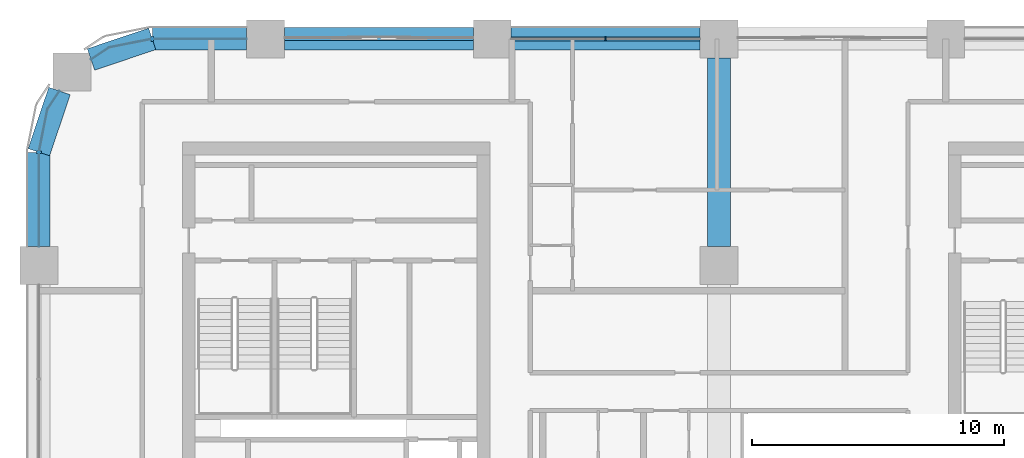
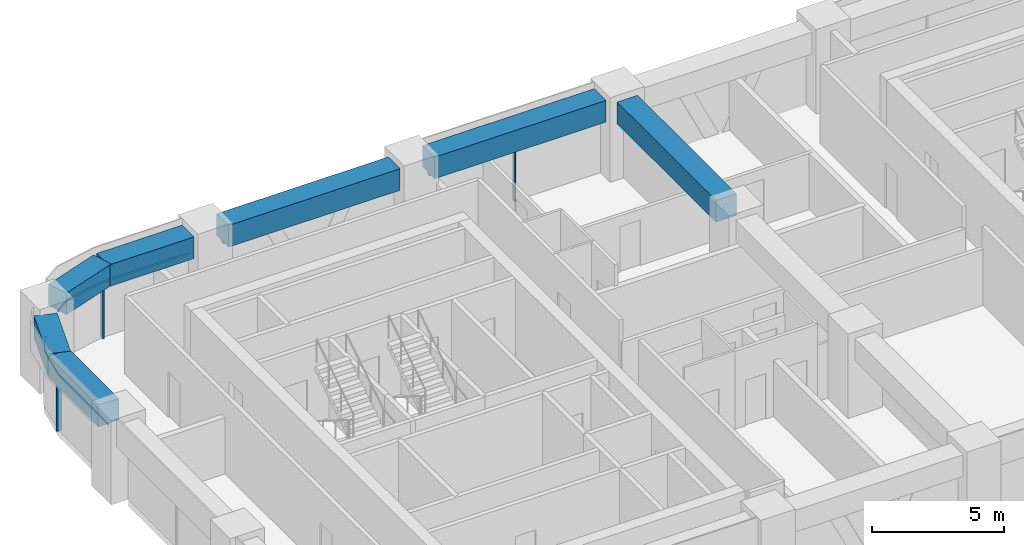
# One storey, part 4 of 14: 7 beams, 7 members, 4 elements without a shape of their own.
"""IFC4 building model written with IfcOpenShell, lengths in metres."""

from ifc_helpers import new_model, si_unit, direction, frame, origin, origin_2d, place, context, subcontext, project, spatial, polyline, rectangle, outline, extrude, material, material_profile, profile_set, type_object, element, aggregate, save


model = new_model("IFC4")

# Units and contexts
model_context = context("Model", 3, precision=1e-05, world=origin(), true_north=direction((0.0, 1.0)))
body_context = subcontext(model_context, "Body", "Model", "MODEL_VIEW")
ifc_project = project(units=[si_unit("LENGTHUNIT", "METRE"), si_unit("AREAUNIT", "SQUARE_METRE"), si_unit("VOLUMEUNIT", "CUBIC_METRE"), si_unit("PLANEANGLEUNIT", "RADIAN"), si_unit("MASSUNIT", "GRAM", prefix="KILO")], contexts=[model_context])

# Site, building, storey
site_placement = place(None, origin())
site = spatial("IfcSite", under=ifc_project, at=site_placement, CompositionType="ELEMENT")
building_placement = place(site_placement, origin())
building = spatial("IfcBuilding", under=site, at=building_placement, Name="Tessera Arch", CompositionType="ELEMENT")
storey_placement = place(building_placement, frame((0.0, 0.0, 173.89990234375)))
storey = spatial("IfcBuildingStorey", under=building, at=storey_placement, Name="L41", CompositionType="ELEMENT", Elevation=173.89990234375)

# Curtain wall, members
ifc_material_1 = material(Name="CW1 curtain wall")
curtain_wall_type_1 = type_object("IfcCurtainWallType", Name="CW1 curtain wall", PredefinedType="NOTDEFINED", material=ifc_material_1)
curtain_wall_1_placement = place(storey_placement, origin())
curtain_wall_1 = element("IfcCurtainWall", 1, at=curtain_wall_1_placement, inside=storey, type_object=curtain_wall_type_1, Name="CW1 curtain wall N54.0/3 L41", PredefinedType="NOTDEFINED")
ifc_material_2 = material(Name="Anodised aluminium pale metal", Category="aluminium")
ifc_material_profile_1 = material_profile(ifc_material_2, rectangle(XDim=0.159912109375, YDim=0.06005859375, at=origin_2d()), Name="AL 60x160")
ifc_profile_set_1 = profile_set([ifc_material_profile_1], Name="Anodised aluminium pale metal")
member_type_1 = type_object("IfcMemberType", Name="CW1 mullion", PredefinedType="MULLION", material=ifc_profile_set_1)
member_1_placement = place(storey_placement, frame((22.5, 54.0, 0.0), z_axis=(0.0, 0.0, 1.0), x_axis=(0.0, -1.0, 0.0)))
member_1 = element("IfcMember", 2, at=member_1_placement, type_object=member_type_1, Name="CW1 mullion N54.0/3 1", PredefinedType="MULLION", context=body_context, shape_type="SweptSolid", body=[
    extrude(rectangle(XDim=0.159912109375, YDim=0.06005859375, at=origin_2d()), origin(), (0.0, 0.0, 1.0), 2.5),
])
ifc_material_3 = material(Name="Anodised aluminium pale metal", Category="aluminium")
ifc_material_profile_2 = material_profile(ifc_material_3, rectangle(XDim=0.159912109375, YDim=0.10009765625, at=origin_2d()), Name="AL 160x100")
ifc_profile_set_2 = profile_set([ifc_material_profile_2], Name="Anodised aluminium pale metal")
member_type_2 = type_object("IfcMemberType", Name="CW1 transom", PredefinedType="USERDEFINED", material=ifc_profile_set_2)
member_2_placement = place(storey_placement, frame((26.25, 54.0, 2.550048828125), z_axis=(-1.0, 0.0, 0.0), x_axis=(0.0, -1.0, 0.0)))
member_2 = element("IfcMember", 3, at=member_2_placement, type_object=member_type_2, Name="CW1 transom N54.0/3 1.1", ObjectType="TRANSOM", PredefinedType="USERDEFINED", context=body_context, shape_type="SweptSolid", body=[
    extrude(rectangle(XDim=0.159912109375, YDim=0.10009765625, at=origin_2d()), origin(), (0.0, 0.0, 1.0), 7.5),
])
aggregate(curtain_wall_1, [member_1, member_2])

# Curtain wall, member
ifc_material_4 = material(Name="CW2 curtain wall")
curtain_wall_type_2 = type_object("IfcCurtainWallType", Name="CW2 curtain wall", PredefinedType="NOTDEFINED", material=ifc_material_4)
curtain_wall_2_placement = place(storey_placement, origin())
curtain_wall_2 = element("IfcCurtainWall", 4, at=curtain_wall_2_placement, inside=storey, type_object=curtain_wall_type_2, Name="CW2 curtain wall N54.0/5 L41", PredefinedType="NOTDEFINED")
ifc_material_5 = material(Name="Anodised aluminium pale metal", Category="aluminium")
ifc_material_profile_3 = material_profile(ifc_material_5, rectangle(XDim=0.199951171875, YDim=0.080078125, at=origin_2d()), Name="AL 80x200")
ifc_profile_set_3 = profile_set([ifc_material_profile_3], Name="Anodised aluminium pale metal")
member_type_3 = type_object("IfcMemberType", Name="CW2 mullion", PredefinedType="MULLION", material=ifc_profile_set_3)
member_3_placement = place(storey_placement, frame((4.5, 54.0, 0.0), z_axis=(0.0, 0.0, 1.0), x_axis=(0.0, -1.0, 0.0)))
member_3 = element("IfcMember", 5, at=member_3_placement, type_object=member_type_3, Name="CW2 mullion N54.0/5 1", PredefinedType="MULLION", context=body_context, shape_type="SweptSolid", body=[
    extrude(rectangle(XDim=0.199951171875, YDim=0.080078125, at=origin_2d()), origin(), (0.0, 0.0, 1.0), 2.5),
])

curtain_wall_3_placement = place(storey_placement, origin())
curtain_wall_3 = element("IfcCurtainWall", 6, at=curtain_wall_3_placement, inside=storey, type_object=curtain_wall_type_2, Name="CW2 curtain wall W0.27/0 L41", PredefinedType="NOTDEFINED")
member_4_placement = place(storey_placement, frame((0.0, 49.5, 0.0), z_axis=(0.0, 0.0, 1.0), x_axis=(1.0, 0.0, 0.0)))
member_4 = element("IfcMember", 7, at=member_4_placement, type_object=member_type_3, Name="CW2 mullion W0.27/0 1", PredefinedType="MULLION", context=body_context, shape_type="SweptSolid", body=[
    extrude(rectangle(XDim=0.199951171875, YDim=0.080078125, at=origin_2d()), origin(), (0.0, 0.0, 1.0), 2.5),
])

# Member
ifc_material_6 = material(Name="Anodised aluminium pale metal", Category="aluminium")
ifc_material_profile_4 = material_profile(ifc_material_6, rectangle(XDim=0.199951171875, YDim=0.10009765625, at=origin_2d()), Name="AL 200x100")
ifc_profile_set_4 = profile_set([ifc_material_profile_4], Name="Anodised aluminium pale metal")
member_type_4 = type_object("IfcMemberType", Name="CW2 transom", PredefinedType="USERDEFINED", material=ifc_profile_set_4)
member_5_placement = place(storey_placement, frame((0.0, 0.0, 2.5)))
member_5 = element("IfcMember", 8, at=member_5_placement, type_object=member_type_4, Name="CW2 transom N54.0/5 1", ObjectType="TRANSOM", PredefinedType="USERDEFINED", context=body_context, shape_type="SweptSolid", body=[
    extrude(outline(polyline([(4.5009765625, 53.989990234375), (8.25, 53.989990234375), (8.25, 54.010009765625), (4.4990234375, 54.010009765625), (2.77392578125, 53.6669921875), (2.0625, 53.19140625), (2.073486328125, 53.1748046875), (2.78173828125, 53.648193359375), (4.5009765625, 53.989990234375)])), origin(), (0.0, 0.0, 1.0), 0.10009765625),
])

aggregate(curtain_wall_2, [member_3, member_5])

member_6_placement = place(storey_placement, frame((0.0, 0.0, 2.5)))
member_6 = element("IfcMember", 9, at=member_6_placement, type_object=member_type_4, Name="CW2 transom W0.27/0 1", ObjectType="TRANSOM", PredefinedType="USERDEFINED", context=body_context, shape_type="SweptSolid", body=[
    extrude(outline(polyline([(0.351806640625, 51.21826171875), (0.8251953125, 51.926513671875), (0.80859375, 51.9375), (0.3330078125, 51.22607421875), (-0.010009765625, 49.5009765625), (-0.010009765625, 45.75), (0.010009765625, 45.75), (0.010009765625, 49.4990234375), (0.351806640625, 51.21826171875)])), origin(), (0.0, 0.0, 1.0), 0.10009765625),
])

aggregate(curtain_wall_3, [member_4, member_6])

# Curtain wall, member
ifc_material_7 = material(Name="CW3 curtain wall")
curtain_wall_type_3 = type_object("IfcCurtainWallType", Name="CW3 curtain wall", PredefinedType="NOTDEFINED", material=ifc_material_7)
curtain_wall_4_placement = place(storey_placement, origin())
curtain_wall_4 = element("IfcCurtainWall", 10, at=curtain_wall_4_placement, inside=storey, type_object=curtain_wall_type_3, Name="CW3 curtain wall N54.0/4 L41", PredefinedType="NOTDEFINED")
ifc_material_8 = material(Name="Anodised aluminium pale metal", Category="aluminium")
ifc_material_profile_5 = material_profile(ifc_material_8, rectangle(XDim=0.139892578125, YDim=0.10009765625, at=origin_2d()), Name="AL 140x100")
ifc_profile_set_5 = profile_set([ifc_material_profile_5], Name="Anodised aluminium pale metal")
member_type_5 = type_object("IfcMemberType", Name="CW3 transom", PredefinedType="USERDEFINED", material=ifc_profile_set_5)
member_7_placement = place(storey_placement, frame((17.25, 54.0, 2.550048828125), z_axis=(-1.0, 0.0, 0.0), x_axis=(0.0, -1.0, 0.0)))
member_7 = element("IfcMember", 11, at=member_7_placement, type_object=member_type_5, Name="CW3 transom N54.0/4 1.1", ObjectType="TRANSOM", PredefinedType="USERDEFINED", context=body_context, shape_type="SweptSolid", body=[
    extrude(rectangle(XDim=0.139892578125, YDim=0.10009765625, at=origin_2d()), origin(), (0.0, 0.0, 1.0), 7.5),
])
aggregate(curtain_wall_4, [member_7])

# Beams
ifc_material_9 = material(Name="Concrete C70/85", Category="concrete")
ifc_material_profile_6 = material_profile(ifc_material_9, rectangle(XDim=0.89990234375, YDim=1.0, at=origin_2d()), Name="RC spandrel beam 900 x 1000 Concrete C70/85")
ifc_profile_set_6 = profile_set([ifc_material_profile_6], Name="Concrete C70/85")
beam_type = type_object("IfcBeamType", Name="RC spandrel beam 900 x 1000 Concrete C70/85", PredefinedType="BEAM", material=ifc_profile_set_6)
for number, where, z_axis, x_axis, name in (
    (12, (26.25, 54.0, 3.10009765625), (-1.0, 0.0, 0.0), (0.0, -1.0, 0.0), "Spandrel beam L41 N54.0/3"),
    (13, (17.25, 54.0, 3.10009765625), (-1.0, 0.0, 0.0), (0.0, -1.0, 0.0), "Spandrel beam L41 N54.0/4"),
):
    element("IfcBeam", number, at=place(storey_placement, frame(where, z_axis=z_axis, x_axis=x_axis)), inside=storey, type_object=beam_type, Name=name, PredefinedType="BEAM", context=body_context, shape_type="SweptSolid", body=[
        extrude(rectangle(XDim=0.89990234375, YDim=1.0, at=origin_2d()), origin(), (0.0, 0.0, 1.0), 7.5),
    ])
beam_1_placement = place(storey_placement, frame((8.25, 54.0, 3.10009765625), z_axis=(-1.0, 0.0, 0.0), x_axis=(0.0, -1.0, 0.0)))
element("IfcBeam", 14, at=beam_1_placement, inside=storey, type_object=beam_type, Name="Spandrel beam L41 N54.0/5.1", PredefinedType="BEAM", context=body_context, shape_type="SweptSolid", body=[
    extrude(rectangle(XDim=0.89990234375, YDim=1.0, at=origin_2d()), origin(), (0.0, 0.0, 1.0), 3.75),
])
for number, where, z_axis, x_axis, name in (
    (15, (4.5, 54.0, 3.10009765625), (-0.947947973234, -0.31842525032, 0.0), (0.31842525032, -0.947947973234, 0.0), "Spandrel beam L41 N54.0/5.2"),
    (16, (0.81689453125, 51.931884765625, 3.10009765625), (-0.31842525032, -0.947947973234, 0.0), (0.947947973234, -0.31842525032, 0.0), "Spandrel beam L41 W0.27/0.1"),
):
    element("IfcBeam", number, at=place(storey_placement, frame(where, z_axis=z_axis, x_axis=x_axis)), inside=storey, type_object=beam_type, Name=name, PredefinedType="BEAM", context=body_context, shape_type="SweptSolid", body=[
        extrude(rectangle(XDim=0.89990234375, YDim=1.0, at=origin_2d()), origin(), (0.0, 0.0, 1.0), 2.5654296875),
    ])
beam_2_placement = place(storey_placement, frame((0.0, 49.5, 3.10009765625), z_axis=(0.0, -1.0, 0.0), x_axis=(1.0, 0.0, 0.0)))
element("IfcBeam", 17, at=beam_2_placement, inside=storey, type_object=beam_type, Name="Spandrel beam L41 W0.27/0.2", PredefinedType="BEAM", context=body_context, shape_type="SweptSolid", body=[
    extrude(rectangle(XDim=0.89990234375, YDim=1.0, at=origin_2d()), origin(), (0.0, 0.0, 1.0), 3.75),
])
beam_3_placement = place(storey_placement, frame((27.0, 45.75, 3.10009765625), z_axis=(0.0, 1.0, 0.0), x_axis=(-1.0, 0.0, 0.0)))
element("IfcBeam", 18, at=beam_3_placement, inside=storey, type_object=beam_type, Name="Interface beam L41 I0C4F-C4G", PredefinedType="BEAM", context=body_context, shape_type="SweptSolid", body=[
    extrude(rectangle(XDim=0.89990234375, YDim=1.0, at=origin_2d()), origin(), (0.0, 0.0, 1.0), 7.5),
])

save(model, "model.ifc")
